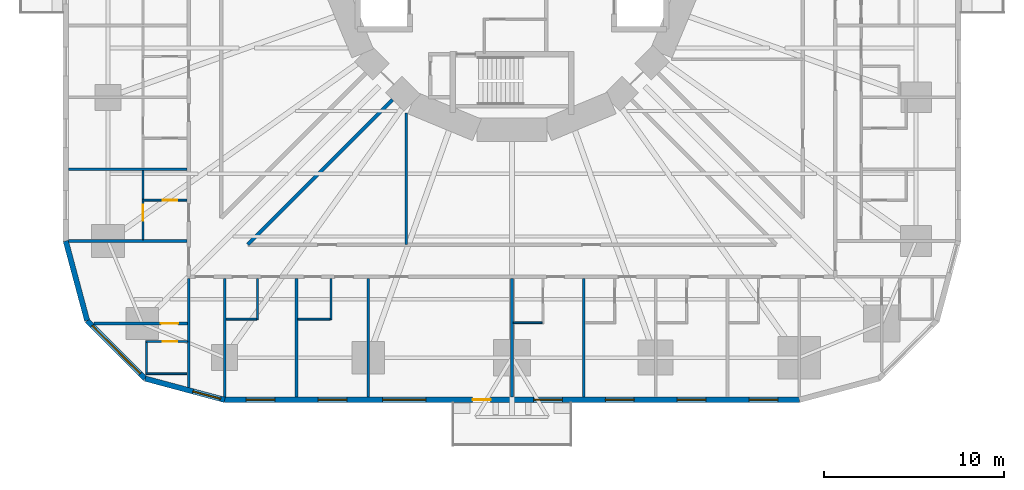
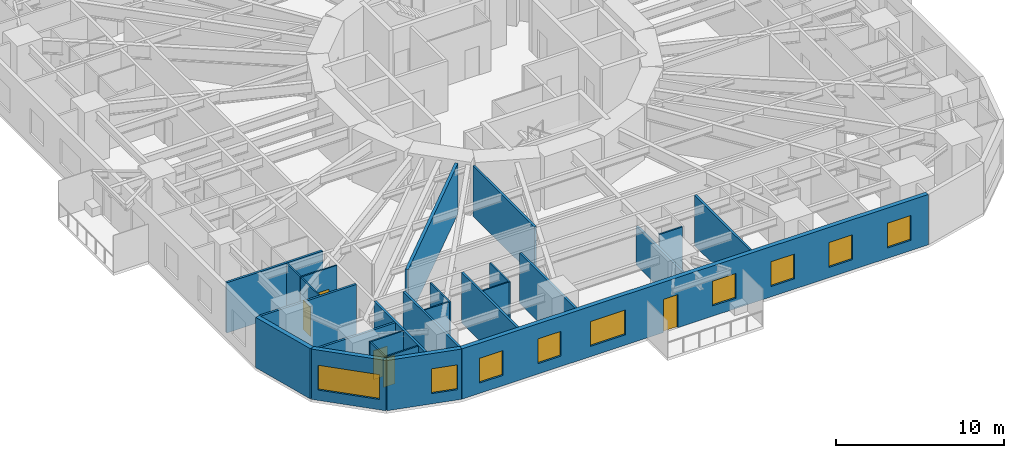
# One storey, part 4 of 14: 26 walls, 9 windows, 5 doors, 14 openings.
"""IFC4 building model written with IfcOpenShell, lengths in metres."""

import ifcopenshell
import ifcopenshell.guid

model = None  # the IFC model being written
_history = None  # IfcOwnerHistory: only IFC2X3 demands one
_inside = {}  # id of a spatial element -> (the spatial element, [elements in it])
_under = {}  # id of a project, library or spatial element -> (it, [spatial elements below it])
_declared = {}  # id of a project -> (the project, [libraries it declares])
_typed = {}  # id of a type object -> (the type object, [elements of that type])
_made_of = {}  # id of a material, layer set ... -> (it, [elements and type objects made of it])


def new_model(schema):
    """Start an empty IFC model of exactly this schema.

    Asked for "IFC4X3", IfcOpenShell would pick the latest addendum, in which some entities
    have other attributes; the version numbers below select the first issue.
    IFC2X3 requires an IfcOwnerHistory on every rooted entity: one is made here for all.
    """
    global model, _history
    if schema == "IFC4X3":
        model = ifcopenshell.file(schema_version=(4, 3, 0, 0))
    else:
        model = ifcopenshell.file(schema=schema)
    _inside.clear()
    _under.clear()
    _declared.clear()
    _typed.clear()
    _made_of.clear()
    _history = None
    if model.schema == "IFC2X3":
        org = make("IfcOrganization", Name="unknown")
        user = make(
            "IfcPersonAndOrganization",
            ThePerson=make("IfcPerson", FamilyName="unknown"),
            TheOrganization=org,
        )
        app = make(
            "IfcApplication",
            ApplicationDeveloper=org,
            Version="unknown",
            ApplicationFullName="unknown",
            ApplicationIdentifier="unknown",
        )
        _history = make(
            "IfcOwnerHistory",
            OwningUser=user,
            OwningApplication=app,
            ChangeAction="ADDED",
            CreationDate=0,
        )
    return model


def make(cls, **values):
    """One entity of the class cls with the attributes given. An attribute that is None is left unset."""
    return model.create_entity(
        cls, **{name: value for name, value in values.items() if value is not None}
    )


def rooted(cls, **values):
    """An entity with a GlobalId (a new one), such as an element, a storey or a relation."""
    return make(cls, GlobalId=ifcopenshell.guid.new(), OwnerHistory=_history, **values)


def si_unit(unit_type, name, prefix=None):
    """IfcSIUnit, for example si_unit("LENGTHUNIT", "METRE", prefix="MILLI")."""
    return make("IfcSIUnit", UnitType=unit_type, Prefix=prefix, Name=name)


def assignment(units):
    """IfcUnitAssignment: the units of a project."""
    return None if units is None else make("IfcUnitAssignment", Units=units)


def point(xyz):
    """IfcCartesianPoint."""
    return None if xyz is None else make("IfcCartesianPoint", Coordinates=xyz)


def direction(xyz):
    """IfcDirection."""
    return None if xyz is None else make("IfcDirection", DirectionRatios=xyz)


def frame(location, z_axis=None, x_axis=None):
    """IfcAxis2Placement3D, a coordinate frame: its origin and axes. An axis left out is left unset."""
    return make(
        "IfcAxis2Placement3D",
        Location=point(location),
        Axis=direction(z_axis),
        RefDirection=direction(x_axis),
    )


def frame_2d(location, x_axis=None):
    """IfcAxis2Placement2D, a coordinate frame in the plane: its origin and x axis."""
    return make(
        "IfcAxis2Placement2D", Location=point(location), RefDirection=direction(x_axis)
    )


def origin():
    """The frame at (0, 0, 0) with its axes left unset."""
    return frame((0.0, 0.0, 0.0))


def place(relative_to, where):
    """IfcLocalPlacement: puts the frame where relative to a parent placement (None: the world)."""
    return make(
        "IfcLocalPlacement", PlacementRelTo=relative_to, RelativePlacement=where
    )


def context(
    kind, dimensions, precision=None, world=None, true_north=None, identifier=None
):
    """IfcGeometricRepresentationContext, for example the 3D "Model" context."""
    return make(
        "IfcGeometricRepresentationContext",
        ContextIdentifier=identifier,
        ContextType=kind,
        CoordinateSpaceDimension=dimensions,
        Precision=precision,
        WorldCoordinateSystem=world,
        TrueNorth=true_north,
    )


def subcontext(parent, identifier, kind, view, scale=None):
    """IfcGeometricRepresentationSubContext, for example "Body" below "Model"."""
    return make(
        "IfcGeometricRepresentationSubContext",
        ContextIdentifier=identifier,
        ContextType=kind,
        ParentContext=parent,
        TargetScale=scale,
        TargetView=view,
    )


def project(units=None, contexts=None):
    """IfcProject with its units and contexts."""
    return rooted(
        "IfcProject",
        Name="project",
        RepresentationContexts=contexts,
        UnitsInContext=assignment(units),
    )


def spatial(cls, under=None, at=None, **own):
    """A site, building, storey or space (cls), placed at a placement, below another one or the project."""
    s = rooted(cls, ObjectPlacement=at, **own)
    if under is not None:
        _under.setdefault(under.id(), (under, []))[1].append(s)
    return s


def profile(cls, at=None, kind="AREA", **sizes):
    """A parametric profile (cls). Its sizes go by their IFC names, for example OverallWidth=200.0."""
    return make(cls, ProfileType=kind, Position=at, **sizes)


def rectangle(**sizes):
    """IfcRectangleProfileDef."""
    return profile("IfcRectangleProfileDef", **sizes)


def extrude(swept, where, along, depth):
    """IfcExtrudedAreaSolid: the profile swept, set in the frame where, extruded along a direction by depth."""
    return make(
        "IfcExtrudedAreaSolid",
        SweptArea=swept,
        Position=where,
        ExtrudedDirection=direction(along),
        Depth=depth,
    )


def shape(context_of_items, identifier, shape_type, items):
    """IfcShapeRepresentation: the items that make up one representation, for example the "Body"."""
    return make(
        "IfcShapeRepresentation",
        ContextOfItems=context_of_items,
        RepresentationIdentifier=identifier,
        RepresentationType=shape_type,
        Items=items,
    )


def material(Name=None, Category=None):
    """IfcMaterial."""
    return make("IfcMaterial", Name=Name, Category=Category)


def layer(
    of_material, thickness, ventilated=None, Name=None, Category=None, Priority=None
):
    """IfcMaterialLayer: one layer of a wall or slab, of a material (None: an air gap)."""
    return make(
        "IfcMaterialLayer",
        Material=of_material,
        LayerThickness=thickness,
        IsVentilated=ventilated,
        Name=Name,
        Category=Category,
        Priority=Priority,
    )


def layer_set(layers, Name=None):
    """IfcMaterialLayerSet."""
    return make("IfcMaterialLayerSet", MaterialLayers=layers, LayerSetName=Name)


def made_of(thing, what):
    """Note that an element or type object is made of a material, layer set ...; save() writes the relation."""
    if what is not None:
        _made_of.setdefault(what.id(), (what, []))[1].append(thing)
    return thing


def type_object(cls, material=None, **own):
    """A type object (cls), such as IfcWallType, which elements share."""
    return made_of(rooted(cls, **own), material)


def element(
    cls,
    number,
    at=None,
    inside=None,
    cuts=None,
    type_object=None,
    material=None,
    context=None,
    identifier="Body",
    shape_type=None,
    held_by="IfcProductDefinitionShape",
    body=None,
    shapes=None,
    **own,
):
    """One element of the class cls, such as IfcWall. Its Tag is "e" and its number.

    at: its placement. inside: the storey or other place that contains it. cuts: it is an
    opening in that element (IfcRelVoidsElement). A single representation is given by context,
    identifier, shape_type and body (its items); several are given by shapes. held_by: the class
    of the entity that holds the representations. save() writes the other relations.
    """
    e = rooted(cls, Tag="e%d" % number, ObjectPlacement=at, **own)
    if body is not None:
        shapes = [shape(context, identifier, shape_type, body)]
    if shapes is not None:
        e.Representation = make(held_by, Representations=shapes)
    if inside is not None:
        _inside.setdefault(inside.id(), (inside, []))[1].append(e)
    if cuts is not None:
        rooted(
            "IfcRelVoidsElement", RelatingBuildingElement=cuts, RelatedOpeningElement=e
        )
    if type_object is not None:
        _typed.setdefault(type_object.id(), (type_object, []))[1].append(e)
    return made_of(e, material)


def fill(opening, filler):
    """IfcRelFillsElement: the door or window that sits in an opening."""
    return rooted(
        "IfcRelFillsElement",
        RelatingOpeningElement=opening,
        RelatedBuildingElement=filler,
    )


def aggregate(whole, parts):
    """IfcRelAggregates: a whole, such as a stair, and the parts it consists of."""
    return rooted("IfcRelAggregates", RelatingObject=whole, RelatedObjects=parts)


def save(model, path):
    """Write the relations noted so far, then the file.

    IfcRelAggregates (storeys below a building ...), IfcRelContainedInSpatialStructure (elements
    in a storey), IfcRelDefinesByType, IfcRelAssociatesMaterial and IfcRelDeclares: one each for
    every whole, place, type object, material and project.
    """
    for whole, parts in _under.values():
        aggregate(whole, parts)
    for where, things in _inside.values():
        rooted(
            "IfcRelContainedInSpatialStructure",
            RelatedElements=things,
            RelatingStructure=where,
        )
    for kind, things in _typed.values():
        rooted("IfcRelDefinesByType", RelatedObjects=things, RelatingType=kind)
    for what, things in _made_of.values():
        rooted("IfcRelAssociatesMaterial", RelatedObjects=things, RelatingMaterial=what)
    for by, libraries in _declared.values():
        rooted("IfcRelDeclares", RelatingContext=by, RelatedDefinitions=libraries)
    model.write(path)


model = new_model("IFC4")

# Units and contexts
model_context = context("Model", 3, precision=1e-05, world=origin(), true_north=direction((0.0, 1.0)))
body_context = subcontext(model_context, "Body", "Model", "MODEL_VIEW")
ifc_project = project(units=[si_unit("LENGTHUNIT", "METRE"), si_unit("AREAUNIT", "SQUARE_METRE"), si_unit("VOLUMEUNIT", "CUBIC_METRE"), si_unit("PLANEANGLEUNIT", "RADIAN"), si_unit("MASSUNIT", "GRAM", prefix="KILO")], contexts=[model_context])

# Site, building, storey
site_placement = place(None, origin())
site = spatial("IfcSite", under=ifc_project, at=site_placement, CompositionType="ELEMENT")
building_placement = place(site_placement, origin())
building = spatial("IfcBuilding", under=site, at=building_placement, Name="Nakasero Lantern House", CompositionType="ELEMENT")
storey_placement = place(building_placement, frame((0.0, 0.0, 46.800048828125)))
storey = spatial("IfcBuildingStorey", under=building, at=storey_placement, Name="L11", CompositionType="ELEMENT", Elevation=46.800048828125)

# Wall
ifc_material_1 = material(Name="Blockwork", Category="masonry")
ifc_layer_1 = layer(ifc_material_1, 0.199951171875)
ifc_layer_set_1 = layer_set([ifc_layer_1], Name="Corridor wall 200")
wall_type_1 = type_object("IfcWallType", Name="Corridor wall 200", PredefinedType="PARTITIONING", material=ifc_layer_set_1)
wall_1_placement = place(storey_placement, frame((-6.65234375, -8.13720703125, 0.0), z_axis=(0.0, 0.0, 1.0), x_axis=(-0.707106781187, -0.707106781187, 0.0)))
element("IfcWall", 1, at=wall_1_placement, inside=storey, type_object=wall_type_1, Name="Corridor wall L11 PS10a", PredefinedType="PARTITIONING", context=body_context, shape_type="SweptSolid", body=[
    extrude(rectangle(XDim=11.40234375, YDim=0.199951171875, at=frame_2d((5.701171875, 0.0))), origin(), (0.0, 0.0, 1.0), 3.64990234375),
])

# Wall, opening, door
ifc_material_2 = material(Name="Blockwork", Category="masonry")
ifc_layer_2 = layer(ifc_material_2, 0.10009765625)
ifc_layer_set_2 = layer_set([ifc_layer_2], Name="En-suite wall 100")
wall_type_2 = type_object("IfcWallType", Name="En-suite wall 100", PredefinedType="PARTITIONING", material=ifc_layer_set_2)
wall_2_placement = place(storey_placement, frame((-18.10009765625, -13.72509765625, 0.0), z_axis=(0.0, 0.0, 1.0), x_axis=(-1.0, 0.0, 0.0)))
wall_2 = element("IfcWall", 2, at=wall_2_placement, inside=storey, type_object=wall_type_2, Name="En-suite wall L11 ES2-08", PredefinedType="PARTITIONING", context=body_context, shape_type="SweptSolid", body=[
    extrude(rectangle(XDim=2.5, YDim=0.10009765625, at=frame_2d((1.25, 0.0))), origin(), (0.0, 0.0, 1.0), 3.64990234375),
])
opening_1_placement = place(wall_2_placement, frame((0.550048828125, 0.0, 0.0)))
opening_1 = element("IfcOpeningElement", 3, at=opening_1_placement, cuts=wall_2, Name="Opening D02", PredefinedType="OPENING", context=body_context, shape_type="SweptSolid", body=[
    extrude(rectangle(XDim=0.800048828125, YDim=2.10009765625, at=frame_2d((0.39990234375, 1.050048828125))), frame((0.0, 0.070068359375, 0.0), z_axis=(0.0, -1.0, 0.0), x_axis=(1.0, 0.0, 0.0)), (0.0, 0.0, 1.0), 0.14013671875),
])
ifc_material_3 = material(Name="Timber C24", Category="wood")
door_type_1 = type_object("IfcDoorType", Name="En-suite door 800", OperationType="SINGLE_SWING_RIGHT", PredefinedType="DOOR", material=ifc_material_3)
door_1_placement = place(opening_1_placement, origin())
door_1 = element("IfcDoor", 4, at=door_1_placement, inside=storey, type_object=door_type_1, Name="Door L11 DE2-08", OperationType="SINGLE_SWING_LEFT", OverallHeight=2.10009765625, OverallWidth=0.800048828125, PredefinedType="DOOR", context=body_context, shape_type="SweptSolid", body=[
    extrude(rectangle(XDim=0.800048828125, YDim=2.10009765625, at=frame_2d((0.39990234375, 1.050048828125))), frame((0.0, 0.02490234375, 0.0), z_axis=(0.0, -1.0, 0.0), x_axis=(1.0, 0.0, 0.0)), (0.0, 0.0, 1.0), 0.050048828125),
])
fill(opening_1, door_1)

# Wall
wall_3_placement = place(storey_placement, frame((-20.550048828125, -12.074951171875, 0.0), z_axis=(0.0, 0.0, 1.0), x_axis=(0.0, -1.0, 0.0)))
element("IfcWall", 5, at=wall_3_placement, inside=storey, type_object=wall_type_2, Name="En-suite wall L11 EE2-08", PredefinedType="PARTITIONING", context=body_context, shape_type="SweptSolid", body=[
    extrude(rectangle(XDim=1.60009765625, YDim=0.10009765625, at=frame_2d((0.800048828125, 0.0))), origin(), (0.0, 0.0, 1.0), 3.64990234375),
])

# Wall, opening, door
wall_4_placement = place(storey_placement, frame((-18.06494140625, -21.59619140625, 0.0), z_axis=(0.0, 0.0, 1.0), x_axis=(-1.0, 0.0, 0.0)))
wall_4 = element("IfcWall", 6, at=wall_4_placement, inside=storey, type_object=wall_type_2, Name="En-suite wall L11 ES2-09", PredefinedType="PARTITIONING", context=body_context, shape_type="SweptSolid", body=[
    extrude(rectangle(XDim=2.3349609375, YDim=0.10009765625, at=frame_2d((1.16748046875, 0.0))), origin(), (0.0, 0.0, 1.0), 3.64990234375),
])
opening_2_placement = place(wall_4_placement, frame((0.5849609375, 0.0, 0.0)))
opening_2 = element("IfcOpeningElement", 7, at=opening_2_placement, cuts=wall_4, Name="Opening D02", PredefinedType="OPENING", context=body_context, shape_type="SweptSolid", body=[
    extrude(rectangle(XDim=0.800048828125, YDim=2.10009765625, at=frame_2d((0.39990234375, 1.050048828125))), frame((0.0, 0.070068359375, 0.0), z_axis=(0.0, -1.0, 0.0), x_axis=(1.0, 0.0, 0.0)), (0.0, 0.0, 1.0), 0.14013671875),
])
door_2_placement = place(opening_2_placement, origin())
door_2 = element("IfcDoor", 8, at=door_2_placement, inside=storey, type_object=door_type_1, Name="Door L11 DE2-09", OperationType="SINGLE_SWING_LEFT", OverallHeight=2.10009765625, OverallWidth=0.800048828125, PredefinedType="DOOR", context=body_context, shape_type="SweptSolid", body=[
    extrude(rectangle(XDim=0.800048828125, YDim=2.10009765625, at=frame_2d((0.39990234375, 1.050048828125))), frame((0.0, 0.02490234375, 0.0), z_axis=(0.0, -1.0, 0.0), x_axis=(1.0, 0.0, 0.0)), (0.0, 0.0, 1.0), 0.050048828125),
])
fill(opening_2, door_2)

# Walls
wall_5_placement = place(storey_placement, frame((-20.35009765625, -21.646240234375, 0.0), z_axis=(0.0, 0.0, 1.0), x_axis=(0.0, -1.0, 0.0)))
element("IfcWall", 9, at=wall_5_placement, inside=storey, type_object=wall_type_2, Name="En-suite wall L11 EE2-09", PredefinedType="PARTITIONING", context=body_context, shape_type="SweptSolid", body=[
    extrude(rectangle(XDim=1.699951171875, YDim=0.10009765625, at=frame_2d((0.85009765625, 0.0))), origin(), (0.0, 0.0, 1.0), 3.64990234375),
])
for number, where, z_axis, x_axis, name in (
    (10, (-18.10009765625, -23.396240234375, 0.0), (0.0, 0.0, 1.0), (-1.0, 0.0, 0.0), "En-suite wall L11 EV2-09"),
    (11, (-14.175048828125, -18.10009765625, 0.0), (0.0, 0.0, 1.0), (0.0, -1.0, 0.0), "En-suite wall L11 ES3-01"),
):
    element("IfcWall", number, at=place(storey_placement, frame(where, z_axis=z_axis, x_axis=x_axis)), inside=storey, type_object=wall_type_2, Name=name, PredefinedType="PARTITIONING", context=body_context, shape_type="SweptSolid", body=[
        extrude(rectangle(XDim=2.2998046875, YDim=0.10009765625, at=frame_2d((1.14990234375, 0.0))), origin(), (0.0, 0.0, 1.0), 3.64990234375),
    ])
wall_6_placement = place(storey_placement, frame((-15.925048828125, -20.35009765625, 0.0), z_axis=(0.0, 0.0, 1.0), x_axis=(1.0, 0.0, 0.0)))
element("IfcWall", 12, at=wall_6_placement, inside=storey, type_object=wall_type_2, Name="En-suite wall L11 EE3-01", PredefinedType="PARTITIONING", context=body_context, shape_type="SweptSolid", body=[
    extrude(rectangle(XDim=1.699951171875, YDim=0.10009765625, at=frame_2d((0.85009765625, 0.0))), origin(), (0.0, 0.0, 1.0), 3.64990234375),
])
wall_7_placement = place(storey_placement, frame((-10.074951171875, -18.10009765625, 0.0), z_axis=(0.0, 0.0, 1.0), x_axis=(0.0, -1.0, 0.0)))
element("IfcWall", 13, at=wall_7_placement, inside=storey, type_object=wall_type_2, Name="En-suite wall L11 ES3-02", PredefinedType="PARTITIONING", context=body_context, shape_type="SweptSolid", body=[
    extrude(rectangle(XDim=2.2998046875, YDim=0.10009765625, at=frame_2d((1.14990234375, 0.0))), origin(), (0.0, 0.0, 1.0), 3.64990234375),
])
wall_8_placement = place(storey_placement, frame((-11.925048828125, -20.35009765625, 0.0), z_axis=(0.0, 0.0, 1.0), x_axis=(1.0, 0.0, 0.0)))
element("IfcWall", 14, at=wall_8_placement, inside=storey, type_object=wall_type_2, Name="En-suite wall L11 EE3-02", PredefinedType="PARTITIONING", context=body_context, shape_type="SweptSolid", body=[
    extrude(rectangle(XDim=1.800048828125, YDim=0.10009765625, at=frame_2d((0.89990234375, 0.0))), origin(), (0.0, 0.0, 1.0), 3.64990234375),
])
wall_9_placement = place(storey_placement, frame((0.074951171875, -20.550048828125, 0.0), z_axis=(0.0, 0.0, 1.0), x_axis=(1.0, 0.0, 0.0)))
element("IfcWall", 15, at=wall_9_placement, inside=storey, type_object=wall_type_2, Name="En-suite wall L11 EE3-05", PredefinedType="PARTITIONING", context=body_context, shape_type="SweptSolid", body=[
    extrude(rectangle(XDim=1.60009765625, YDim=0.10009765625, at=frame_2d((0.800048828125, 0.0))), origin(), (0.0, 0.0, 1.0), 3.64990234375),
])

# Wall, opening, door
wall_10_placement = place(storey_placement, frame((-20.550048828125, -13.77490234375, 0.0), z_axis=(0.0, 0.0, 1.0), x_axis=(0.0, -1.0, 0.0)))
wall_10 = element("IfcWall", 16, at=wall_10_placement, inside=storey, type_object=wall_type_2, Name="En-suite wall L11 EL2-08", PredefinedType="PARTITIONING", context=body_context, shape_type="SweptSolid", body=[
    extrude(rectangle(XDim=2.150146484375, YDim=0.10009765625, at=frame_2d((1.0751953125, 0.0))), origin(), (0.0, 0.0, 1.0), 3.64990234375),
])
opening_3_placement = place(wall_10_placement, frame((0.199951171875, 0.0, 0.0)))
opening_3 = element("IfcOpeningElement", 17, at=opening_3_placement, cuts=wall_10, Name="Opening D17", PredefinedType="OPENING", context=body_context, shape_type="SweptSolid", body=[
    extrude(rectangle(XDim=0.89990234375, YDim=2.10009765625, at=frame_2d((0.449951171875, 1.050048828125))), frame((0.0, 0.070068359375, 0.0), z_axis=(0.0, -1.0, 0.0), x_axis=(1.0, 0.0, 0.0)), (0.0, 0.0, 1.0), 0.14013671875),
])
ifc_material_4 = material(Name="Timber C24", Category="wood")
door_type_2 = type_object("IfcDoorType", Name="Bedroom door FD30S 900", OperationType="SINGLE_SWING_LEFT", PredefinedType="DOOR", material=ifc_material_4)
door_3_placement = place(opening_3_placement, origin())
door_3 = element("IfcDoor", 18, at=door_3_placement, inside=storey, type_object=door_type_2, Name="Door L11 DL2-08", OperationType="SINGLE_SWING_LEFT", OverallHeight=2.10009765625, OverallWidth=0.89990234375, PredefinedType="DOOR", context=body_context, shape_type="SweptSolid", body=[
    extrude(rectangle(XDim=0.89990234375, YDim=2.10009765625, at=frame_2d((0.449951171875, 1.050048828125))), frame((0.0, 0.02490234375, 0.0), z_axis=(0.0, -1.0, 0.0), x_axis=(1.0, 0.0, 0.0)), (0.0, 0.0, 1.0), 0.050048828125),
])
fill(opening_3, door_3)

# Wall
ifc_material_5 = material(Name="Aluminium rainscreen on blockwork", Category="masonry")
ifc_layer_3 = layer(ifc_material_5, 0.300048828125)
ifc_layer_set_3 = layer_set([ifc_layer_3], Name="Facade wall 300")
wall_type_3 = type_object("IfcWallType", Name="Facade wall 300", PredefinedType="SOLIDWALL", material=ifc_layer_set_3)
wall_11_placement = place(storey_placement, frame((-24.85009765625, -16.0, 0.0), z_axis=(0.0, 0.0, 1.0), x_axis=(0.258839972501, -0.965920218567, 0.0)))
element("IfcWall", 19, at=wall_11_placement, inside=storey, type_object=wall_type_3, Name="Facade wall L11 FW2C1", PredefinedType="SOLIDWALL", context=body_context, shape_type="SweptSolid", body=[
    extrude(rectangle(XDim=4.5810546875, YDim=0.300048828125, at=frame_2d((2.29052734375, 0.0))), origin(), (0.0, 0.0, 1.0), 3.64990234375),
])

# Wall, opening, window
wall_12_placement = place(storey_placement, frame((-23.664306640625, -20.425048828125, 0.0), z_axis=(0.0, 0.0, 1.0), x_axis=(0.707106781187, -0.707106781187, 0.0)))
wall_12 = element("IfcWall", 20, at=wall_12_placement, inside=storey, type_object=wall_type_3, Name="Facade wall L11 FW2C2", PredefinedType="SOLIDWALL", context=body_context, shape_type="SweptSolid", body=[
    extrude(rectangle(XDim=4.5810546875, YDim=0.300048828125, at=frame_2d((2.29052734375, 0.0))), origin(), (0.0, 0.0, 1.0), 3.64990234375),
])
opening_4_placement = place(wall_12_placement, frame((0.39990234375, 0.0, 0.75)))
opening_4 = element("IfcOpeningElement", 21, at=opening_4_placement, cuts=wall_12, Name="Opening W237", PredefinedType="OPENING", context=body_context, shape_type="SweptSolid", body=[
    extrude(rectangle(XDim=3.781005859375, YDim=1.800048828125, at=frame_2d((1.890625, 0.89990234375))), frame((0.0, 0.169921875, 0.0), z_axis=(0.0, -1.0, 0.0), x_axis=(1.0, 0.0, 0.0)), (0.0, 0.0, 1.0), 0.340087890625),
])
ifc_material_6 = material(Name="Aluminium 6063-T6 and glass", Category="aluminium")
window_type_1 = type_object("IfcWindowType", Name="Corner window 3781x1800", PartitioningType="SINGLE_PANEL", PredefinedType="WINDOW", material=ifc_material_6)
window_1_placement = place(opening_4_placement, origin())
window_1 = element("IfcWindow", 22, at=window_1_placement, inside=storey, type_object=window_type_1, Name="Window L11 WC2", OverallHeight=1.800048828125, OverallWidth=3.781005859375, PartitioningType="SINGLE_PANEL", PredefinedType="WINDOW", context=body_context, shape_type="SweptSolid", body=[
    extrude(rectangle(XDim=3.781005859375, YDim=1.800048828125, at=frame_2d((1.890625, 0.89990234375))), frame((0.0, 0.030029296875, 0.0), z_axis=(0.0, -1.0, 0.0), x_axis=(1.0, 0.0, 0.0)), (0.0, 0.0, 1.0), 0.06005859375),
])
fill(opening_4, window_1)

wall_13_placement = place(storey_placement, frame((-20.425048828125, -23.664306640625, 0.0), z_axis=(0.0, 0.0, 1.0), x_axis=(0.965920218567, -0.258839972501, 0.0)))
wall_13 = element("IfcWall", 23, at=wall_13_placement, inside=storey, type_object=wall_type_3, Name="Facade wall L11 FW2C3", PredefinedType="SOLIDWALL", context=body_context, shape_type="SweptSolid", body=[
    extrude(rectangle(XDim=4.5810546875, YDim=0.300048828125, at=frame_2d((2.29052734375, 0.0))), origin(), (0.0, 0.0, 1.0), 3.64990234375),
])
opening_5_placement = place(wall_13_placement, frame((2.74609375, 0.0, 0.75)))
opening_5 = element("IfcOpeningElement", 24, at=opening_5_placement, cuts=wall_13, Name="Opening W01", PredefinedType="OPENING", context=body_context, shape_type="SweptSolid", body=[
    extrude(rectangle(XDim=1.60009765625, YDim=1.800048828125, at=frame_2d((0.800048828125, 0.89990234375))), frame((0.0, 0.169921875, 0.0), z_axis=(0.0, -1.0, 0.0), x_axis=(1.0, 0.0, 0.0)), (0.0, 0.0, 1.0), 0.340087890625),
])
ifc_material_7 = material(Name="Aluminium 6063-T6 and glass", Category="aluminium")
window_type_2 = type_object("IfcWindowType", Name="Bedroom window 1600x1800", PartitioningType="SINGLE_PANEL", PredefinedType="WINDOW", material=ifc_material_7)
window_2_placement = place(opening_5_placement, origin())
window_2 = element("IfcWindow", 25, at=window_2_placement, inside=storey, type_object=window_type_2, Name="Window L11 WN3-00", OverallHeight=1.800048828125, OverallWidth=1.60009765625, PartitioningType="SINGLE_PANEL", PredefinedType="WINDOW", context=body_context, shape_type="SweptSolid", body=[
    extrude(rectangle(XDim=1.60009765625, YDim=1.800048828125, at=frame_2d((0.800048828125, 0.89990234375))), frame((0.0, 0.030029296875, 0.0), z_axis=(0.0, -1.0, 0.0), x_axis=(1.0, 0.0, 0.0)), (0.0, 0.0, 1.0), 0.06005859375),
])
fill(opening_5, window_2)

# Wall, openings, door, windows
wall_14_placement = place(storey_placement, frame((-16.0, -24.85009765625, 0.0), z_axis=(0.0, 0.0, 1.0), x_axis=(1.0, 0.0, 0.0)))
wall_14 = element("IfcWall", 26, at=wall_14_placement, inside=storey, type_object=wall_type_3, Name="Facade wall L11 FW3S", PredefinedType="SOLIDWALL", context=body_context, shape_type="SweptSolid", body=[
    extrude(rectangle(XDim=32.0, YDim=0.300048828125, at=frame_2d((16.0, 0.0))), origin(), (0.0, 0.0, 1.0), 3.64990234375),
])
opening_6_placement = place(wall_14_placement, frame((1.199951171875, 0.0, 0.75)))
opening_6 = element("IfcOpeningElement", 27, at=opening_6_placement, cuts=wall_14, Name="Opening W01", PredefinedType="OPENING", context=body_context, shape_type="SweptSolid", body=[
    extrude(rectangle(XDim=1.60009765625, YDim=1.800048828125, at=frame_2d((0.800048828125, 0.89990234375))), frame((0.0, 0.169921875, 0.0), z_axis=(0.0, -1.0, 0.0), x_axis=(1.0, 0.0, 0.0)), (0.0, 0.0, 1.0), 0.340087890625),
])
opening_7_placement = place(wall_14_placement, frame((5.199951171875, 0.0, 0.75)))
opening_7 = element("IfcOpeningElement", 28, at=opening_7_placement, cuts=wall_14, Name="Opening W01", PredefinedType="OPENING", context=body_context, shape_type="SweptSolid", body=[
    extrude(rectangle(XDim=1.60009765625, YDim=1.800048828125, at=frame_2d((0.800048828125, 0.89990234375))), frame((0.0, 0.169921875, 0.0), z_axis=(0.0, -1.0, 0.0), x_axis=(1.0, 0.0, 0.0)), (0.0, 0.0, 1.0), 0.340087890625),
])
opening_8_placement = place(wall_14_placement, frame((17.199951171875, 0.0, 0.75)))
opening_8 = element("IfcOpeningElement", 29, at=opening_8_placement, cuts=wall_14, Name="Opening W01", PredefinedType="OPENING", context=body_context, shape_type="SweptSolid", body=[
    extrude(rectangle(XDim=1.60009765625, YDim=1.800048828125, at=frame_2d((0.800048828125, 0.89990234375))), frame((0.0, 0.169921875, 0.0), z_axis=(0.0, -1.0, 0.0), x_axis=(1.0, 0.0, 0.0)), (0.0, 0.0, 1.0), 0.340087890625),
])
opening_9_placement = place(wall_14_placement, frame((21.199951171875, 0.0, 0.75)))
opening_9 = element("IfcOpeningElement", 30, at=opening_9_placement, cuts=wall_14, Name="Opening W01", PredefinedType="OPENING", context=body_context, shape_type="SweptSolid", body=[
    extrude(rectangle(XDim=1.60009765625, YDim=1.800048828125, at=frame_2d((0.800048828125, 0.89990234375))), frame((0.0, 0.169921875, 0.0), z_axis=(0.0, -1.0, 0.0), x_axis=(1.0, 0.0, 0.0)), (0.0, 0.0, 1.0), 0.340087890625),
])
opening_10_placement = place(wall_14_placement, frame((25.199951171875, 0.0, 0.75)))
opening_10 = element("IfcOpeningElement", 31, at=opening_10_placement, cuts=wall_14, Name="Opening W01", PredefinedType="OPENING", context=body_context, shape_type="SweptSolid", body=[
    extrude(rectangle(XDim=1.60009765625, YDim=1.800048828125, at=frame_2d((0.800048828125, 0.89990234375))), frame((0.0, 0.169921875, 0.0), z_axis=(0.0, -1.0, 0.0), x_axis=(1.0, 0.0, 0.0)), (0.0, 0.0, 1.0), 0.340087890625),
])
opening_11_placement = place(wall_14_placement, frame((29.199951171875, 0.0, 0.75)))
opening_11 = element("IfcOpeningElement", 32, at=opening_11_placement, cuts=wall_14, Name="Opening W01", PredefinedType="OPENING", context=body_context, shape_type="SweptSolid", body=[
    extrude(rectangle(XDim=1.60009765625, YDim=1.800048828125, at=frame_2d((0.800048828125, 0.89990234375))), frame((0.0, 0.169921875, 0.0), z_axis=(0.0, -1.0, 0.0), x_axis=(1.0, 0.0, 0.0)), (0.0, 0.0, 1.0), 0.340087890625),
])
opening_12_placement = place(wall_14_placement, frame((8.800048828125, 0.0, 0.75)))
opening_12 = element("IfcOpeningElement", 33, at=opening_12_placement, cuts=wall_14, Name="Opening W03", PredefinedType="OPENING", context=body_context, shape_type="SweptSolid", body=[
    extrude(rectangle(XDim=2.39990234375, YDim=1.800048828125, at=frame_2d((1.199951171875, 0.89990234375))), frame((0.0, 0.169921875, 0.0), z_axis=(0.0, -1.0, 0.0), x_axis=(1.0, 0.0, 0.0)), (0.0, 0.0, 1.0), 0.340087890625),
])
opening_13_placement = place(wall_14_placement, frame((13.8125, 0.0, 0.0)))
opening_13 = element("IfcOpeningElement", 34, at=opening_13_placement, cuts=wall_14, Name="Opening D04", PredefinedType="OPENING", context=body_context, shape_type="SweptSolid", body=[
    extrude(rectangle(XDim=1.0, YDim=2.39990234375, at=frame_2d((0.5, 1.199951171875))), frame((0.0, 0.169921875, 0.0), z_axis=(0.0, -1.0, 0.0), x_axis=(1.0, 0.0, 0.0)), (0.0, 0.0, 1.0), 0.340087890625),
])
ifc_material_8 = material(Name="Aluminium 6063-T6 and glass", Category="aluminium")
door_type_3 = type_object("IfcDoorType", Name="Balcony door 1000x2400", OperationType="SINGLE_SWING_RIGHT", PredefinedType="DOOR", material=ifc_material_8)
door_4_placement = place(opening_13_placement, origin())
door_4 = element("IfcDoor", 35, at=door_4_placement, inside=storey, type_object=door_type_3, Name="Balcony door L11 DB3", OperationType="SINGLE_SWING_RIGHT", OverallHeight=2.39990234375, OverallWidth=1.0, PredefinedType="DOOR", context=body_context, shape_type="SweptSolid", body=[
    extrude(rectangle(XDim=1.0, YDim=2.39990234375, at=frame_2d((0.5, 1.199951171875))), frame((0.0, 0.02490234375, 0.0), z_axis=(0.0, -1.0, 0.0), x_axis=(1.0, 0.0, 0.0)), (0.0, 0.0, 1.0), 0.050048828125),
])
fill(opening_13, door_4)
window_3_placement = place(opening_6_placement, origin())
window_3 = element("IfcWindow", 36, at=window_3_placement, inside=storey, type_object=window_type_2, Name="Window L11 WN3-01", OverallHeight=1.800048828125, OverallWidth=1.60009765625, PartitioningType="SINGLE_PANEL", PredefinedType="WINDOW", context=body_context, shape_type="SweptSolid", body=[
    extrude(rectangle(XDim=1.60009765625, YDim=1.800048828125, at=frame_2d((0.800048828125, 0.89990234375))), frame((0.0, 0.030029296875, 0.0), z_axis=(0.0, -1.0, 0.0), x_axis=(1.0, 0.0, 0.0)), (0.0, 0.0, 1.0), 0.06005859375),
])
fill(opening_6, window_3)
window_4_placement = place(opening_7_placement, origin())
window_4 = element("IfcWindow", 37, at=window_4_placement, inside=storey, type_object=window_type_2, Name="Window L11 WN3-02", OverallHeight=1.800048828125, OverallWidth=1.60009765625, PartitioningType="SINGLE_PANEL", PredefinedType="WINDOW", context=body_context, shape_type="SweptSolid", body=[
    extrude(rectangle(XDim=1.60009765625, YDim=1.800048828125, at=frame_2d((0.800048828125, 0.89990234375))), frame((0.0, 0.030029296875, 0.0), z_axis=(0.0, -1.0, 0.0), x_axis=(1.0, 0.0, 0.0)), (0.0, 0.0, 1.0), 0.06005859375),
])
fill(opening_7, window_4)
window_5_placement = place(opening_8_placement, origin())
window_5 = element("IfcWindow", 38, at=window_5_placement, inside=storey, type_object=window_type_2, Name="Window L11 WN3-05", OverallHeight=1.800048828125, OverallWidth=1.60009765625, PartitioningType="SINGLE_PANEL", PredefinedType="WINDOW", context=body_context, shape_type="SweptSolid", body=[
    extrude(rectangle(XDim=1.60009765625, YDim=1.800048828125, at=frame_2d((0.800048828125, 0.89990234375))), frame((0.0, 0.030029296875, 0.0), z_axis=(0.0, -1.0, 0.0), x_axis=(1.0, 0.0, 0.0)), (0.0, 0.0, 1.0), 0.06005859375),
])
fill(opening_8, window_5)
window_6_placement = place(opening_9_placement, origin())
window_6 = element("IfcWindow", 39, at=window_6_placement, inside=storey, type_object=window_type_2, Name="Window L11 WN3-06", OverallHeight=1.800048828125, OverallWidth=1.60009765625, PartitioningType="SINGLE_PANEL", PredefinedType="WINDOW", context=body_context, shape_type="SweptSolid", body=[
    extrude(rectangle(XDim=1.60009765625, YDim=1.800048828125, at=frame_2d((0.800048828125, 0.89990234375))), frame((0.0, 0.030029296875, 0.0), z_axis=(0.0, -1.0, 0.0), x_axis=(1.0, 0.0, 0.0)), (0.0, 0.0, 1.0), 0.06005859375),
])
fill(opening_9, window_6)
window_7_placement = place(opening_10_placement, origin())
window_7 = element("IfcWindow", 40, at=window_7_placement, inside=storey, type_object=window_type_2, Name="Window L11 WN3-07", OverallHeight=1.800048828125, OverallWidth=1.60009765625, PartitioningType="SINGLE_PANEL", PredefinedType="WINDOW", context=body_context, shape_type="SweptSolid", body=[
    extrude(rectangle(XDim=1.60009765625, YDim=1.800048828125, at=frame_2d((0.800048828125, 0.89990234375))), frame((0.0, 0.030029296875, 0.0), z_axis=(0.0, -1.0, 0.0), x_axis=(1.0, 0.0, 0.0)), (0.0, 0.0, 1.0), 0.06005859375),
])
fill(opening_10, window_7)
window_8_placement = place(opening_11_placement, origin())
window_8 = element("IfcWindow", 41, at=window_8_placement, inside=storey, type_object=window_type_2, Name="Window L11 WN3-08", OverallHeight=1.800048828125, OverallWidth=1.60009765625, PartitioningType="SINGLE_PANEL", PredefinedType="WINDOW", context=body_context, shape_type="SweptSolid", body=[
    extrude(rectangle(XDim=1.60009765625, YDim=1.800048828125, at=frame_2d((0.800048828125, 0.89990234375))), frame((0.0, 0.030029296875, 0.0), z_axis=(0.0, -1.0, 0.0), x_axis=(1.0, 0.0, 0.0)), (0.0, 0.0, 1.0), 0.06005859375),
])
fill(opening_11, window_8)
ifc_material_9 = material(Name="Aluminium 6063-T6 and glass", Category="aluminium")
window_type_3 = type_object("IfcWindowType", Name="Lounge window 2400x1800", PartitioningType="SINGLE_PANEL", PredefinedType="WINDOW", material=ifc_material_9)
window_9_placement = place(opening_12_placement, origin())
window_9 = element("IfcWindow", 42, at=window_9_placement, inside=storey, type_object=window_type_3, Name="Window L11 WK3", OverallHeight=1.800048828125, OverallWidth=2.39990234375, PartitioningType="SINGLE_PANEL", PredefinedType="WINDOW", context=body_context, shape_type="SweptSolid", body=[
    extrude(rectangle(XDim=2.39990234375, YDim=1.800048828125, at=frame_2d((1.199951171875, 0.89990234375))), frame((0.0, 0.030029296875, 0.0), z_axis=(0.0, -1.0, 0.0), x_axis=(1.0, 0.0, 0.0)), (0.0, 0.0, 1.0), 0.06005859375),
])
fill(opening_12, window_9)

# Walls
ifc_material_10 = material(Name="Blockwork", Category="masonry")
ifc_layer_4 = layer(ifc_material_10, 0.14990234375)
ifc_layer_set_4 = layer_set([ifc_layer_4], Name="Party wall 150")
wall_type_4 = type_object("IfcWallType", Name="Party wall 150", PredefinedType="PARTITIONING", material=ifc_layer_set_4)
wall_15_placement = place(storey_placement, frame((-18.10009765625, -12.0, 0.0), z_axis=(0.0, 0.0, 1.0), x_axis=(-1.0, 0.0, 0.0)))
element("IfcWall", 43, at=wall_15_placement, inside=storey, type_object=wall_type_4, Name="Party wall L11 PW2-08", PredefinedType="PARTITIONING", context=body_context, shape_type="SweptSolid", body=[
    extrude(rectangle(XDim=6.599853515625, YDim=0.14990234375, at=frame_2d((3.2998046875, 0.0))), origin(), (0.0, 0.0, 1.0), 3.64990234375),
])
wall_16_placement = place(storey_placement, frame((-18.10009765625, -16.0, 0.0), z_axis=(0.0, 0.0, 1.0), x_axis=(-1.0, 0.0, 0.0)))
element("IfcWall", 44, at=wall_16_placement, inside=storey, type_object=wall_type_4, Name="Party wall L11 PW2-09", PredefinedType="PARTITIONING", context=body_context, shape_type="SweptSolid", body=[
    extrude(rectangle(XDim=6.58935546875, YDim=0.14990234375, at=frame_2d((3.294677734375, 0.0))), origin(), (0.0, 0.0, 1.0), 3.64990234375),
])

# Wall, opening, door
wall_17_placement = place(storey_placement, frame((-18.06494140625, -20.59619140625, 0.0), z_axis=(0.0, 0.0, 1.0), x_axis=(-1.0, 0.0, 0.0)))
wall_17 = element("IfcWall", 45, at=wall_17_placement, inside=storey, type_object=wall_type_4, Name="Party wall L11 PC2", PredefinedType="PARTITIONING", context=body_context, shape_type="SweptSolid", body=[
    extrude(rectangle(XDim=5.208740234375, YDim=0.14990234375, at=frame_2d((2.6044921875, 0.0))), origin(), (0.0, 0.0, 1.0), 3.64990234375),
])
opening_14_placement = place(wall_17_placement, frame((0.534912109375, 0.0, 0.0)))
opening_14 = element("IfcOpeningElement", 46, at=opening_14_placement, cuts=wall_17, Name="Opening D01", PredefinedType="OPENING", context=body_context, shape_type="SweptSolid", body=[
    extrude(rectangle(XDim=0.949951171875, YDim=2.10009765625, at=frame_2d((0.47509765625, 1.050048828125))), frame((0.0, 0.094970703125, 0.0), z_axis=(0.0, -1.0, 0.0), x_axis=(1.0, 0.0, 0.0)), (0.0, 0.0, 1.0), 0.18994140625),
])
ifc_material_11 = material(Name="Timber C24", Category="wood")
door_type_4 = type_object("IfcDoorType", Name="Bedroom door FD30S 950", OperationType="SINGLE_SWING_LEFT", PredefinedType="DOOR", material=ifc_material_11)
door_5_placement = place(opening_14_placement, origin())
door_5 = element("IfcDoor", 47, at=door_5_placement, inside=storey, type_object=door_type_4, Name="Door L11 DC2", OperationType="SINGLE_SWING_LEFT", OverallHeight=2.10009765625, OverallWidth=0.949951171875, PredefinedType="DOOR", context=body_context, shape_type="SweptSolid", body=[
    extrude(rectangle(XDim=0.949951171875, YDim=2.10009765625, at=frame_2d((0.47509765625, 1.050048828125))), frame((0.0, 0.02490234375, 0.0), z_axis=(0.0, -1.0, 0.0), x_axis=(1.0, 0.0, 0.0)), (0.0, 0.0, 1.0), 0.050048828125),
])
fill(opening_14, door_5)

# Walls
wall_18_placement = place(storey_placement, frame((-18.0, -18.10009765625, 0.0), z_axis=(0.0, 0.0, 1.0), x_axis=(0.0, -1.0, 0.0)))
element("IfcWall", 48, at=wall_18_placement, inside=storey, type_object=wall_type_4, Name="Party wall L11 PW3-00", PredefinedType="PARTITIONING", context=body_context, shape_type="SweptSolid", body=[
    extrude(rectangle(XDim=6.053466796875, YDim=0.14990234375, at=frame_2d((3.02685546875, 0.0))), origin(), (0.0, 0.0, 1.0), 3.64990234375),
])
wall_19_placement = place(storey_placement, frame((-16.0, -18.10009765625, 0.0), z_axis=(0.0, 0.0, 1.0), x_axis=(0.0, -1.0, 0.0)))
element("IfcWall", 49, at=wall_19_placement, inside=storey, type_object=wall_type_4, Name="Party wall L11 PW3-01", PredefinedType="PARTITIONING", context=body_context, shape_type="SweptSolid", body=[
    extrude(rectangle(XDim=6.58935546875, YDim=0.14990234375, at=frame_2d((3.294677734375, 0.0))), origin(), (0.0, 0.0, 1.0), 3.64990234375),
])
for number, where, z_axis, x_axis, name in (
    (50, (-12.0, -18.10009765625, 0.0), (0.0, 0.0, 1.0), (0.0, -1.0, 0.0), "Party wall L11 PW3-02"),
    (51, (-8.0, -18.10009765625, 0.0), (0.0, 0.0, 1.0), (0.0, -1.0, 0.0), "Party wall L11 PW3-03"),
):
    element("IfcWall", number, at=place(storey_placement, frame(where, z_axis=z_axis, x_axis=x_axis)), inside=storey, type_object=wall_type_4, Name=name, PredefinedType="PARTITIONING", context=body_context, shape_type="SweptSolid", body=[
        extrude(rectangle(XDim=6.599853515625, YDim=0.14990234375, at=frame_2d((3.2998046875, 0.0))), origin(), (0.0, 0.0, 1.0), 3.64990234375),
    ])
wall_20_placement = place(storey_placement, frame((0.0, -18.10009765625, 0.0), z_axis=(0.0, 0.0, 1.0), x_axis=(0.0, -1.0, 0.0)))
element("IfcWall", 52, at=wall_20_placement, inside=storey, type_object=wall_type_4, Name="Party wall L11 PW3-05", PredefinedType="PARTITIONING", context=body_context, shape_type="SweptSolid", body=[
    extrude(rectangle(XDim=6.599853515625, YDim=0.14990234375, at=frame_2d((3.2998046875, 0.0))), origin(), (0.0, 0.0, 1.0), 2.809326171875),
])
wall_21_placement = place(storey_placement, frame((4.0, -18.10009765625, 0.0), z_axis=(0.0, 0.0, 1.0), x_axis=(0.0, -1.0, 0.0)))
element("IfcWall", 53, at=wall_21_placement, inside=storey, type_object=wall_type_4, Name="Party wall L11 PW3-06", PredefinedType="PARTITIONING", context=body_context, shape_type="SweptSolid", body=[
    extrude(rectangle(XDim=6.599853515625, YDim=0.14990234375, at=frame_2d((3.2998046875, 0.0))), origin(), (0.0, 0.0, 1.0), 3.64990234375),
])
wall_22_placement = place(storey_placement, frame((-5.885986328125, -8.88134765625, 0.0), z_axis=(0.0, 0.0, 1.0), x_axis=(0.0, -1.0, 0.0)))
element("IfcWall", 54, at=wall_22_placement, inside=storey, type_object=wall_type_4, Name="Party wall L11 IS4", PredefinedType="PARTITIONING", context=body_context, shape_type="SweptSolid", body=[
    extrude(rectangle(XDim=7.318603515625, YDim=0.14990234375, at=frame_2d((3.6591796875, 0.0))), origin(), (0.0, 0.0, 1.0), 3.64990234375),
])

save(model, "model.ifc")
